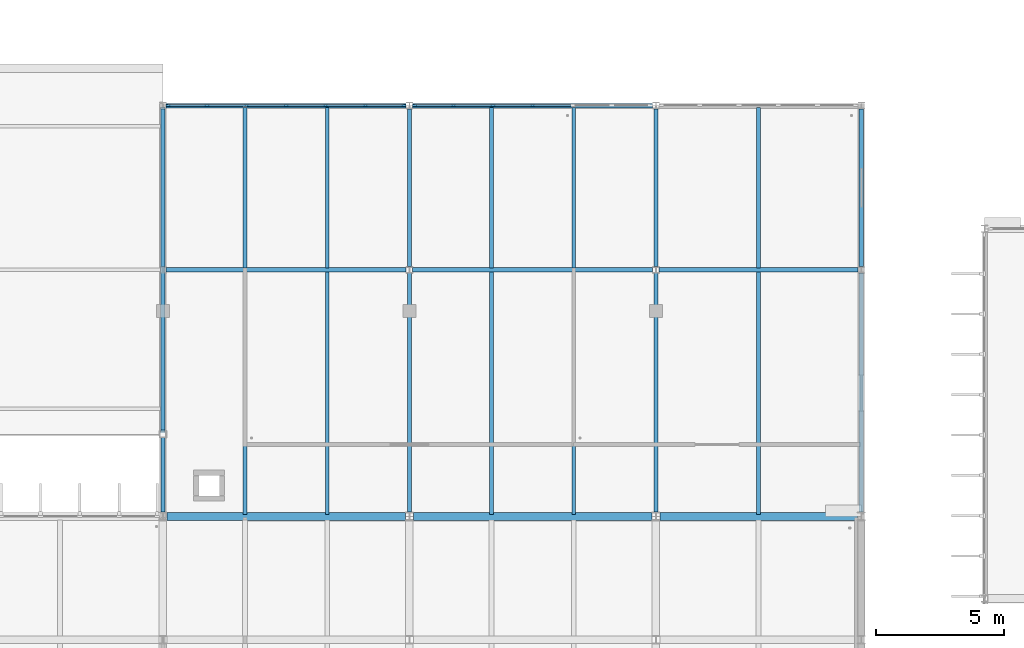
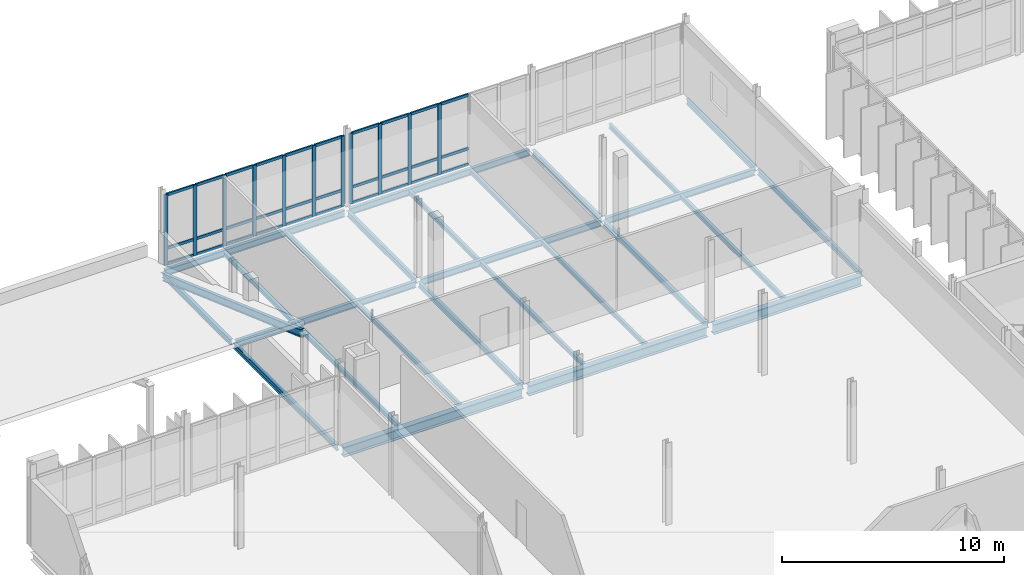
# One storey, part 33 of 107: 42 members, 26 beams, 2 elements without a shape of their own.
"""IFC4 building model written with IfcOpenShell, lengths in metres."""

from ifc_helpers import new_model, si_unit, direction, frame, origin, origin_2d, place, context, subcontext, project, spatial, rectangle, i_section, extrude, material, material_profile, profile_set, type_object, element, aggregate, save


model = new_model("IFC4")

# Units and contexts
model_context = context("Model", 3, precision=1e-05, world=origin(), true_north=direction((0.0, 1.0)))
body_context = subcontext(model_context, "Body", "Model", "MODEL_VIEW")
ifc_project = project(units=[si_unit("LENGTHUNIT", "METRE"), si_unit("AREAUNIT", "SQUARE_METRE"), si_unit("VOLUMEUNIT", "CUBIC_METRE"), si_unit("PLANEANGLEUNIT", "RADIAN"), si_unit("MASSUNIT", "GRAM", prefix="KILO")], contexts=[model_context])

# Site, building, storey
site_placement = place(None, origin())
site = spatial("IfcSite", under=ifc_project, at=site_placement, CompositionType="ELEMENT")
building_placement = place(site_placement, origin())
building = spatial("IfcBuilding", under=site, at=building_placement, Name="Dunescarp Central Library", CompositionType="ELEMENT")
storey_placement = place(building_placement, frame((0.0, 0.0, 5.10009765625)))
storey = spatial("IfcBuildingStorey", under=building, at=storey_placement, Name="L01", CompositionType="ELEMENT", Elevation=5.10009765625)

# Curtain wall, members
ifc_material_1 = material(Name="Marine-grade anodised aluminium 6063-T6", Category="aluminium")
curtain_wall_type = type_object("IfcCurtainWallType", Name="ARC-CW-STICK", PredefinedType="NOTDEFINED", material=ifc_material_1)
curtain_wall_1_placement = place(storey_placement, origin())
curtain_wall_1 = element("IfcCurtainWall", 1, at=curtain_wall_1_placement, inside=storey, type_object=curtain_wall_type, Name="L01 curtain wall CW-V3D-L01-109", PredefinedType="NOTDEFINED")
ifc_material_profile_1 = material_profile(ifc_material_1, rectangle(XDim=0.080078125, YDim=0.179931640625, at=origin_2d()), Name="AL 80x180")
ifc_profile_set_1 = profile_set([ifc_material_profile_1], Name="Marine-grade anodised aluminium 6063-T6")
member_type_1 = type_object("IfcMemberType", Name="ARC-CWM-180", PredefinedType="MULLION", material=ifc_profile_set_1)
member_1_placement = place(storey_placement, frame((97.81494140625, 49.60009765625, 0.0), z_axis=(0.0, 0.0, 1.0), x_axis=(0.0, 1.0, 0.0)))
member_1 = element("IfcMember", 2, at=member_1_placement, type_object=member_type_1, Name="CW-V3D-L01-109 mullion 1", PredefinedType="MULLION", context=body_context, shape_type="SweptSolid", body=[
    extrude(rectangle(XDim=0.080078125, YDim=0.179931640625, at=origin_2d()), origin(), (0.0, 0.0, 1.0), 3.875),
])
member_2_placement = place(storey_placement, frame((99.316650390625, 49.60009765625, 0.0), z_axis=(0.0, 0.0, 1.0), x_axis=(0.0, 1.0, 0.0)))
member_2 = element("IfcMember", 3, at=member_2_placement, type_object=member_type_1, Name="CW-V3D-L01-109 mullion 2", PredefinedType="MULLION", context=body_context, shape_type="SweptSolid", body=[
    extrude(rectangle(XDim=0.080078125, YDim=0.179931640625, at=origin_2d()), origin(), (0.0, 0.0, 1.0), 3.875),
])
member_3_placement = place(storey_placement, frame((100.8583984375, 49.60009765625, 0.0), z_axis=(0.0, 0.0, 1.0), x_axis=(0.0, 1.0, 0.0)))
member_3 = element("IfcMember", 4, at=member_3_placement, type_object=member_type_1, Name="CW-V3D-L01-109 mullion 3", PredefinedType="MULLION", context=body_context, shape_type="SweptSolid", body=[
    extrude(rectangle(XDim=0.080078125, YDim=0.179931640625, at=origin_2d()), origin(), (0.0, 0.0, 1.0), 3.875),
])
member_4_placement = place(storey_placement, frame((102.39990234375, 49.60009765625, 0.0), z_axis=(0.0, 0.0, 1.0), x_axis=(0.0, 1.0, 0.0)))
member_4 = element("IfcMember", 5, at=member_4_placement, type_object=member_type_1, Name="CW-V3D-L01-109 mullion 4", PredefinedType="MULLION", context=body_context, shape_type="SweptSolid", body=[
    extrude(rectangle(XDim=0.080078125, YDim=0.179931640625, at=origin_2d()), origin(), (0.0, 0.0, 1.0), 3.875),
])
member_5_placement = place(storey_placement, frame((103.941650390625, 49.60009765625, 0.0), z_axis=(0.0, 0.0, 1.0), x_axis=(0.0, 1.0, 0.0)))
member_5 = element("IfcMember", 6, at=member_5_placement, type_object=member_type_1, Name="CW-V3D-L01-109 mullion 5", PredefinedType="MULLION", context=body_context, shape_type="SweptSolid", body=[
    extrude(rectangle(XDim=0.080078125, YDim=0.179931640625, at=origin_2d()), origin(), (0.0, 0.0, 1.0), 3.875),
])
member_6_placement = place(storey_placement, frame((105.4833984375, 49.60009765625, 0.0), z_axis=(0.0, 0.0, 1.0), x_axis=(0.0, 1.0, 0.0)))
member_6 = element("IfcMember", 7, at=member_6_placement, type_object=member_type_1, Name="CW-V3D-L01-109 mullion 6", PredefinedType="MULLION", context=body_context, shape_type="SweptSolid", body=[
    extrude(rectangle(XDim=0.080078125, YDim=0.179931640625, at=origin_2d()), origin(), (0.0, 0.0, 1.0), 3.875),
])
member_7_placement = place(storey_placement, frame((106.985107421875, 49.60009765625, 0.0), z_axis=(0.0, 0.0, 1.0), x_axis=(0.0, 1.0, 0.0)))
member_7 = element("IfcMember", 8, at=member_7_placement, type_object=member_type_1, Name="CW-V3D-L01-109 mullion 7", PredefinedType="MULLION", context=body_context, shape_type="SweptSolid", body=[
    extrude(rectangle(XDim=0.080078125, YDim=0.179931640625, at=origin_2d()), origin(), (0.0, 0.0, 1.0), 3.875),
])

curtain_wall_2_placement = place(storey_placement, origin())
curtain_wall_2 = element("IfcCurtainWall", 9, at=curtain_wall_2_placement, inside=storey, type_object=curtain_wall_type, Name="L01 curtain wall CW-V3D-L01-110", PredefinedType="NOTDEFINED")
member_8_placement = place(storey_placement, frame((107.4150390625, 49.60009765625, 0.0), z_axis=(0.0, 0.0, 1.0), x_axis=(0.0, 1.0, 0.0)))
member_8 = element("IfcMember", 10, at=member_8_placement, type_object=member_type_1, Name="CW-V3D-L01-110 mullion 1", PredefinedType="MULLION", context=body_context, shape_type="SweptSolid", body=[
    extrude(rectangle(XDim=0.080078125, YDim=0.179931640625, at=origin_2d()), origin(), (0.0, 0.0, 1.0), 3.875),
])
member_9_placement = place(storey_placement, frame((108.916748046875, 49.60009765625, 0.0), z_axis=(0.0, 0.0, 1.0), x_axis=(0.0, 1.0, 0.0)))
member_9 = element("IfcMember", 11, at=member_9_placement, type_object=member_type_1, Name="CW-V3D-L01-110 mullion 2", PredefinedType="MULLION", context=body_context, shape_type="SweptSolid", body=[
    extrude(rectangle(XDim=0.080078125, YDim=0.179931640625, at=origin_2d()), origin(), (0.0, 0.0, 1.0), 3.875),
])
member_10_placement = place(storey_placement, frame((110.458251953125, 49.60009765625, 0.0), z_axis=(0.0, 0.0, 1.0), x_axis=(0.0, 1.0, 0.0)))
member_10 = element("IfcMember", 12, at=member_10_placement, type_object=member_type_1, Name="CW-V3D-L01-110 mullion 3", PredefinedType="MULLION", context=body_context, shape_type="SweptSolid", body=[
    extrude(rectangle(XDim=0.080078125, YDim=0.179931640625, at=origin_2d()), origin(), (0.0, 0.0, 1.0), 3.875),
])
member_11_placement = place(storey_placement, frame((112.0, 49.60009765625, 0.0), z_axis=(0.0, 0.0, 1.0), x_axis=(0.0, 1.0, 0.0)))
member_11 = element("IfcMember", 13, at=member_11_placement, type_object=member_type_1, Name="CW-V3D-L01-110 mullion 4", PredefinedType="MULLION", context=body_context, shape_type="SweptSolid", body=[
    extrude(rectangle(XDim=0.080078125, YDim=0.179931640625, at=origin_2d()), origin(), (0.0, 0.0, 1.0), 3.875),
])

# Member
ifc_material_profile_2 = material_profile(ifc_material_1, rectangle(XDim=0.080078125, YDim=0.14990234375, at=origin_2d()), Name="AL 80x150")
ifc_profile_set_2 = profile_set([ifc_material_profile_2], Name="Marine-grade anodised aluminium 6063-T6")
member_type_2 = type_object("IfcMemberType", Name="ARC-CWT-150", PredefinedType="USERDEFINED", material=ifc_profile_set_2)
member_12_placement = place(storey_placement, frame((97.85498046875, 49.60009765625, 0.039794921875), z_axis=(1.0, 0.0, 0.0), x_axis=(0.0, 1.0, 0.0)))
member_12 = element("IfcMember", 14, at=member_12_placement, type_object=member_type_2, Name="CW-V3D-L01-109 transom 1.1", ObjectType="TRANSOM", PredefinedType="USERDEFINED", context=body_context, shape_type="SweptSolid", body=[
    extrude(rectangle(XDim=0.080078125, YDim=0.14990234375, at=origin_2d()), origin(), (0.0, 0.0, 1.0), 1.421630859375),
])

member_13_placement = place(storey_placement, frame((97.85498046875, 49.60009765625, 0.89990234375), z_axis=(1.0, 0.0, 0.0), x_axis=(0.0, 1.0, 0.0)))
member_13 = element("IfcMember", 15, at=member_13_placement, type_object=member_type_2, Name="CW-V3D-L01-109 transom 1.2", ObjectType="TRANSOM", PredefinedType="USERDEFINED", context=body_context, shape_type="SweptSolid", body=[
    extrude(rectangle(XDim=0.080078125, YDim=0.14990234375, at=origin_2d()), origin(), (0.0, 0.0, 1.0), 1.421630859375),
])

member_14_placement = place(storey_placement, frame((97.85498046875, 49.60009765625, 3.8349609375), z_axis=(1.0, 0.0, 0.0), x_axis=(0.0, 1.0, 0.0)))
member_14 = element("IfcMember", 16, at=member_14_placement, type_object=member_type_2, Name="CW-V3D-L01-109 transom 1.3", ObjectType="TRANSOM", PredefinedType="USERDEFINED", context=body_context, shape_type="SweptSolid", body=[
    extrude(rectangle(XDim=0.080078125, YDim=0.14990234375, at=origin_2d()), origin(), (0.0, 0.0, 1.0), 1.421630859375),
])

member_15_placement = place(storey_placement, frame((99.356689453125, 49.60009765625, 0.039794921875), z_axis=(1.0, 0.0, 0.0), x_axis=(0.0, 1.0, 0.0)))
member_15 = element("IfcMember", 17, at=member_15_placement, type_object=member_type_2, Name="CW-V3D-L01-109 transom 2.1", ObjectType="TRANSOM", PredefinedType="USERDEFINED", context=body_context, shape_type="SweptSolid", body=[
    extrude(rectangle(XDim=0.080078125, YDim=0.14990234375, at=origin_2d()), origin(), (0.0, 0.0, 1.0), 1.461669921875),
])

member_16_placement = place(storey_placement, frame((99.356689453125, 49.60009765625, 0.89990234375), z_axis=(1.0, 0.0, 0.0), x_axis=(0.0, 1.0, 0.0)))
member_16 = element("IfcMember", 18, at=member_16_placement, type_object=member_type_2, Name="CW-V3D-L01-109 transom 2.2", ObjectType="TRANSOM", PredefinedType="USERDEFINED", context=body_context, shape_type="SweptSolid", body=[
    extrude(rectangle(XDim=0.080078125, YDim=0.14990234375, at=origin_2d()), origin(), (0.0, 0.0, 1.0), 1.461669921875),
])

member_17_placement = place(storey_placement, frame((99.356689453125, 49.60009765625, 3.8349609375), z_axis=(1.0, 0.0, 0.0), x_axis=(0.0, 1.0, 0.0)))
member_17 = element("IfcMember", 19, at=member_17_placement, type_object=member_type_2, Name="CW-V3D-L01-109 transom 2.3", ObjectType="TRANSOM", PredefinedType="USERDEFINED", context=body_context, shape_type="SweptSolid", body=[
    extrude(rectangle(XDim=0.080078125, YDim=0.14990234375, at=origin_2d()), origin(), (0.0, 0.0, 1.0), 1.461669921875),
])

member_18_placement = place(storey_placement, frame((100.8984375, 49.60009765625, 0.039794921875), z_axis=(1.0, 0.0, 0.0), x_axis=(0.0, 1.0, 0.0)))
member_18 = element("IfcMember", 20, at=member_18_placement, type_object=member_type_2, Name="CW-V3D-L01-109 transom 3.1", ObjectType="TRANSOM", PredefinedType="USERDEFINED", context=body_context, shape_type="SweptSolid", body=[
    extrude(rectangle(XDim=0.080078125, YDim=0.14990234375, at=origin_2d()), origin(), (0.0, 0.0, 1.0), 1.461669921875),
])

member_19_placement = place(storey_placement, frame((100.8984375, 49.60009765625, 0.89990234375), z_axis=(1.0, 0.0, 0.0), x_axis=(0.0, 1.0, 0.0)))
member_19 = element("IfcMember", 21, at=member_19_placement, type_object=member_type_2, Name="CW-V3D-L01-109 transom 3.2", ObjectType="TRANSOM", PredefinedType="USERDEFINED", context=body_context, shape_type="SweptSolid", body=[
    extrude(rectangle(XDim=0.080078125, YDim=0.14990234375, at=origin_2d()), origin(), (0.0, 0.0, 1.0), 1.461669921875),
])

member_20_placement = place(storey_placement, frame((100.8984375, 49.60009765625, 3.8349609375), z_axis=(1.0, 0.0, 0.0), x_axis=(0.0, 1.0, 0.0)))
member_20 = element("IfcMember", 22, at=member_20_placement, type_object=member_type_2, Name="CW-V3D-L01-109 transom 3.3", ObjectType="TRANSOM", PredefinedType="USERDEFINED", context=body_context, shape_type="SweptSolid", body=[
    extrude(rectangle(XDim=0.080078125, YDim=0.14990234375, at=origin_2d()), origin(), (0.0, 0.0, 1.0), 1.461669921875),
])

member_21_placement = place(storey_placement, frame((102.43994140625, 49.60009765625, 0.039794921875), z_axis=(1.0, 0.0, 0.0), x_axis=(0.0, 1.0, 0.0)))
member_21 = element("IfcMember", 23, at=member_21_placement, type_object=member_type_2, Name="CW-V3D-L01-109 transom 4.1", ObjectType="TRANSOM", PredefinedType="USERDEFINED", context=body_context, shape_type="SweptSolid", body=[
    extrude(rectangle(XDim=0.080078125, YDim=0.14990234375, at=origin_2d()), origin(), (0.0, 0.0, 1.0), 1.461669921875),
])

member_22_placement = place(storey_placement, frame((102.43994140625, 49.60009765625, 0.89990234375), z_axis=(1.0, 0.0, 0.0), x_axis=(0.0, 1.0, 0.0)))
member_22 = element("IfcMember", 24, at=member_22_placement, type_object=member_type_2, Name="CW-V3D-L01-109 transom 4.2", ObjectType="TRANSOM", PredefinedType="USERDEFINED", context=body_context, shape_type="SweptSolid", body=[
    extrude(rectangle(XDim=0.080078125, YDim=0.14990234375, at=origin_2d()), origin(), (0.0, 0.0, 1.0), 1.461669921875),
])

member_23_placement = place(storey_placement, frame((102.43994140625, 49.60009765625, 3.8349609375), z_axis=(1.0, 0.0, 0.0), x_axis=(0.0, 1.0, 0.0)))
member_23 = element("IfcMember", 25, at=member_23_placement, type_object=member_type_2, Name="CW-V3D-L01-109 transom 4.3", ObjectType="TRANSOM", PredefinedType="USERDEFINED", context=body_context, shape_type="SweptSolid", body=[
    extrude(rectangle(XDim=0.080078125, YDim=0.14990234375, at=origin_2d()), origin(), (0.0, 0.0, 1.0), 1.461669921875),
])

member_24_placement = place(storey_placement, frame((103.981689453125, 49.60009765625, 0.039794921875), z_axis=(1.0, 0.0, 0.0), x_axis=(0.0, 1.0, 0.0)))
member_24 = element("IfcMember", 26, at=member_24_placement, type_object=member_type_2, Name="CW-V3D-L01-109 transom 5.1", ObjectType="TRANSOM", PredefinedType="USERDEFINED", context=body_context, shape_type="SweptSolid", body=[
    extrude(rectangle(XDim=0.080078125, YDim=0.14990234375, at=origin_2d()), origin(), (0.0, 0.0, 1.0), 1.461669921875),
])

member_25_placement = place(storey_placement, frame((103.981689453125, 49.60009765625, 0.89990234375), z_axis=(1.0, 0.0, 0.0), x_axis=(0.0, 1.0, 0.0)))
member_25 = element("IfcMember", 27, at=member_25_placement, type_object=member_type_2, Name="CW-V3D-L01-109 transom 5.2", ObjectType="TRANSOM", PredefinedType="USERDEFINED", context=body_context, shape_type="SweptSolid", body=[
    extrude(rectangle(XDim=0.080078125, YDim=0.14990234375, at=origin_2d()), origin(), (0.0, 0.0, 1.0), 1.461669921875),
])

member_26_placement = place(storey_placement, frame((103.981689453125, 49.60009765625, 3.8349609375), z_axis=(1.0, 0.0, 0.0), x_axis=(0.0, 1.0, 0.0)))
member_26 = element("IfcMember", 28, at=member_26_placement, type_object=member_type_2, Name="CW-V3D-L01-109 transom 5.3", ObjectType="TRANSOM", PredefinedType="USERDEFINED", context=body_context, shape_type="SweptSolid", body=[
    extrude(rectangle(XDim=0.080078125, YDim=0.14990234375, at=origin_2d()), origin(), (0.0, 0.0, 1.0), 1.461669921875),
])

member_27_placement = place(storey_placement, frame((105.5234375, 49.60009765625, 0.039794921875), z_axis=(1.0, 0.0, 0.0), x_axis=(0.0, 1.0, 0.0)))
member_27 = element("IfcMember", 29, at=member_27_placement, type_object=member_type_2, Name="CW-V3D-L01-109 transom 6.1", ObjectType="TRANSOM", PredefinedType="USERDEFINED", context=body_context, shape_type="SweptSolid", body=[
    extrude(rectangle(XDim=0.080078125, YDim=0.14990234375, at=origin_2d()), origin(), (0.0, 0.0, 1.0), 1.421630859375),
])

member_28_placement = place(storey_placement, frame((105.5234375, 49.60009765625, 0.89990234375), z_axis=(1.0, 0.0, 0.0), x_axis=(0.0, 1.0, 0.0)))
member_28 = element("IfcMember", 30, at=member_28_placement, type_object=member_type_2, Name="CW-V3D-L01-109 transom 6.2", ObjectType="TRANSOM", PredefinedType="USERDEFINED", context=body_context, shape_type="SweptSolid", body=[
    extrude(rectangle(XDim=0.080078125, YDim=0.14990234375, at=origin_2d()), origin(), (0.0, 0.0, 1.0), 1.421630859375),
])

member_29_placement = place(storey_placement, frame((105.5234375, 49.60009765625, 3.8349609375), z_axis=(1.0, 0.0, 0.0), x_axis=(0.0, 1.0, 0.0)))
member_29 = element("IfcMember", 31, at=member_29_placement, type_object=member_type_2, Name="CW-V3D-L01-109 transom 6.3", ObjectType="TRANSOM", PredefinedType="USERDEFINED", context=body_context, shape_type="SweptSolid", body=[
    extrude(rectangle(XDim=0.080078125, YDim=0.14990234375, at=origin_2d()), origin(), (0.0, 0.0, 1.0), 1.421630859375),
])

aggregate(curtain_wall_1, [member_1, member_2, member_3, member_4, member_5, member_6, member_7, member_12, member_13, member_14, member_15, member_16, member_17, member_18, member_19, member_20, member_21, member_22, member_23, member_24, member_25, member_26, member_27, member_28, member_29])

member_30_placement = place(storey_placement, frame((107.455078125, 49.60009765625, 0.039794921875), z_axis=(1.0, 0.0, 0.0), x_axis=(0.0, 1.0, 0.0)))
member_30 = element("IfcMember", 32, at=member_30_placement, type_object=member_type_2, Name="CW-V3D-L01-110 transom 1.1", ObjectType="TRANSOM", PredefinedType="USERDEFINED", context=body_context, shape_type="SweptSolid", body=[
    extrude(rectangle(XDim=0.080078125, YDim=0.14990234375, at=origin_2d()), origin(), (0.0, 0.0, 1.0), 1.421630859375),
])

member_31_placement = place(storey_placement, frame((107.455078125, 49.60009765625, 0.89990234375), z_axis=(1.0, 0.0, 0.0), x_axis=(0.0, 1.0, 0.0)))
member_31 = element("IfcMember", 33, at=member_31_placement, type_object=member_type_2, Name="CW-V3D-L01-110 transom 1.2", ObjectType="TRANSOM", PredefinedType="USERDEFINED", context=body_context, shape_type="SweptSolid", body=[
    extrude(rectangle(XDim=0.080078125, YDim=0.14990234375, at=origin_2d()), origin(), (0.0, 0.0, 1.0), 1.421630859375),
])

member_32_placement = place(storey_placement, frame((107.455078125, 49.60009765625, 3.8349609375), z_axis=(1.0, 0.0, 0.0), x_axis=(0.0, 1.0, 0.0)))
member_32 = element("IfcMember", 34, at=member_32_placement, type_object=member_type_2, Name="CW-V3D-L01-110 transom 1.3", ObjectType="TRANSOM", PredefinedType="USERDEFINED", context=body_context, shape_type="SweptSolid", body=[
    extrude(rectangle(XDim=0.080078125, YDim=0.14990234375, at=origin_2d()), origin(), (0.0, 0.0, 1.0), 1.421630859375),
])

member_33_placement = place(storey_placement, frame((108.956787109375, 49.60009765625, 0.039794921875), z_axis=(1.0, 0.0, 0.0), x_axis=(0.0, 1.0, 0.0)))
member_33 = element("IfcMember", 35, at=member_33_placement, type_object=member_type_2, Name="CW-V3D-L01-110 transom 2.1", ObjectType="TRANSOM", PredefinedType="USERDEFINED", context=body_context, shape_type="SweptSolid", body=[
    extrude(rectangle(XDim=0.080078125, YDim=0.14990234375, at=origin_2d()), origin(), (0.0, 0.0, 1.0), 1.46142578125),
])

member_34_placement = place(storey_placement, frame((108.956787109375, 49.60009765625, 0.89990234375), z_axis=(1.0, 0.0, 0.0), x_axis=(0.0, 1.0, 0.0)))
member_34 = element("IfcMember", 36, at=member_34_placement, type_object=member_type_2, Name="CW-V3D-L01-110 transom 2.2", ObjectType="TRANSOM", PredefinedType="USERDEFINED", context=body_context, shape_type="SweptSolid", body=[
    extrude(rectangle(XDim=0.080078125, YDim=0.14990234375, at=origin_2d()), origin(), (0.0, 0.0, 1.0), 1.46142578125),
])

member_35_placement = place(storey_placement, frame((108.956787109375, 49.60009765625, 3.8349609375), z_axis=(1.0, 0.0, 0.0), x_axis=(0.0, 1.0, 0.0)))
member_35 = element("IfcMember", 37, at=member_35_placement, type_object=member_type_2, Name="CW-V3D-L01-110 transom 2.3", ObjectType="TRANSOM", PredefinedType="USERDEFINED", context=body_context, shape_type="SweptSolid", body=[
    extrude(rectangle(XDim=0.080078125, YDim=0.14990234375, at=origin_2d()), origin(), (0.0, 0.0, 1.0), 1.46142578125),
])

member_36_placement = place(storey_placement, frame((110.498291015625, 49.60009765625, 0.039794921875), z_axis=(1.0, 0.0, 0.0), x_axis=(0.0, 1.0, 0.0)))
member_36 = element("IfcMember", 38, at=member_36_placement, type_object=member_type_2, Name="CW-V3D-L01-110 transom 3.1", ObjectType="TRANSOM", PredefinedType="USERDEFINED", context=body_context, shape_type="SweptSolid", body=[
    extrude(rectangle(XDim=0.080078125, YDim=0.14990234375, at=origin_2d()), origin(), (0.0, 0.0, 1.0), 1.461669921875),
])

member_37_placement = place(storey_placement, frame((110.498291015625, 49.60009765625, 0.89990234375), z_axis=(1.0, 0.0, 0.0), x_axis=(0.0, 1.0, 0.0)))
member_37 = element("IfcMember", 39, at=member_37_placement, type_object=member_type_2, Name="CW-V3D-L01-110 transom 3.2", ObjectType="TRANSOM", PredefinedType="USERDEFINED", context=body_context, shape_type="SweptSolid", body=[
    extrude(rectangle(XDim=0.080078125, YDim=0.14990234375, at=origin_2d()), origin(), (0.0, 0.0, 1.0), 1.461669921875),
])

member_38_placement = place(storey_placement, frame((110.498291015625, 49.60009765625, 3.8349609375), z_axis=(1.0, 0.0, 0.0), x_axis=(0.0, 1.0, 0.0)))
member_38 = element("IfcMember", 40, at=member_38_placement, type_object=member_type_2, Name="CW-V3D-L01-110 transom 3.3", ObjectType="TRANSOM", PredefinedType="USERDEFINED", context=body_context, shape_type="SweptSolid", body=[
    extrude(rectangle(XDim=0.080078125, YDim=0.14990234375, at=origin_2d()), origin(), (0.0, 0.0, 1.0), 1.461669921875),
])

member_39_placement = place(storey_placement, frame((112.0400390625, 49.60009765625, 0.039794921875), z_axis=(1.0, 0.0, 0.0), x_axis=(0.0, 1.0, 0.0)))
member_39 = element("IfcMember", 41, at=member_39_placement, type_object=member_type_2, Name="CW-V3D-L01-110 transom 4.1", ObjectType="TRANSOM", PredefinedType="USERDEFINED", context=body_context, shape_type="SweptSolid", body=[
    extrude(rectangle(XDim=0.080078125, YDim=0.14990234375, at=origin_2d()), origin(), (0.0, 0.0, 1.0), 1.461669921875),
])

member_40_placement = place(storey_placement, frame((112.0400390625, 49.60009765625, 0.89990234375), z_axis=(1.0, 0.0, 0.0), x_axis=(0.0, 1.0, 0.0)))
member_40 = element("IfcMember", 42, at=member_40_placement, type_object=member_type_2, Name="CW-V3D-L01-110 transom 4.2", ObjectType="TRANSOM", PredefinedType="USERDEFINED", context=body_context, shape_type="SweptSolid", body=[
    extrude(rectangle(XDim=0.080078125, YDim=0.14990234375, at=origin_2d()), origin(), (0.0, 0.0, 1.0), 1.461669921875),
])

member_41_placement = place(storey_placement, frame((112.0400390625, 49.60009765625, 3.8349609375), z_axis=(1.0, 0.0, 0.0), x_axis=(0.0, 1.0, 0.0)))
member_41 = element("IfcMember", 43, at=member_41_placement, type_object=member_type_2, Name="CW-V3D-L01-110 transom 4.3", ObjectType="TRANSOM", PredefinedType="USERDEFINED", context=body_context, shape_type="SweptSolid", body=[
    extrude(rectangle(XDim=0.080078125, YDim=0.14990234375, at=origin_2d()), origin(), (0.0, 0.0, 1.0), 1.461669921875),
])

aggregate(curtain_wall_2, [member_8, member_9, member_10, member_11, member_30, member_31, member_32, member_33, member_34, member_35, member_36, member_37, member_38, member_39, member_40, member_41])

# Beams
ifc_material_2 = material(Name="Steel S355JR", Category="steel")
ifc_material_profile_3 = material_profile(ifc_material_2, i_section(OverallWidth=0.300048828125, OverallDepth=0.550048828125, WebThickness=0.014892578125, FlangeThickness=0.029052734375, at=origin_2d()), Name="HEB 550")
ifc_profile_set_3 = profile_set([ifc_material_profile_3], Name="Steel S355JR")
beam_type_1 = type_object("IfcBeamType", Name="STR-BM-HEB550", PredefinedType="BEAM", material=ifc_profile_set_3)
for number, where, z_axis, x_axis, name in (
    (44, (97.75390625, 33.60009765625, -0.4951171875), (1.0, 0.0, 0.0), (0.0, 1.0, 0.0), "L01 girder BM-L01-0698"),
    (45, (107.35400390625, 33.60009765625, -0.4951171875), (1.0, 0.0, 0.0), (0.0, 1.0, 0.0), "L01 girder BM-L01-0715"),
):
    element("IfcBeam", number, at=place(storey_placement, frame(where, z_axis=z_axis, x_axis=x_axis)), inside=storey, type_object=beam_type_1, Name=name, PredefinedType="BEAM", context=body_context, shape_type="SweptSolid", body=[
        extrude(i_section(OverallWidth=0.300048828125, OverallDepth=0.550048828125, WebThickness=0.014892578125, FlangeThickness=0.029052734375, at=origin_2d()), origin(), (0.0, 0.0, 1.0), 9.2919921875),
    ])
beam_1_placement = place(storey_placement, frame((116.9541015625, 33.60009765625, -0.4951171875), z_axis=(1.0, 0.0, 0.0), x_axis=(0.0, 1.0, 0.0)))
element("IfcBeam", 46, at=beam_1_placement, inside=storey, type_object=beam_type_1, Name="L01 girder BM-L01-0729", PredefinedType="BEAM", context=body_context, shape_type="SweptSolid", body=[
    extrude(i_section(OverallWidth=0.300048828125, OverallDepth=0.550048828125, WebThickness=0.014892578125, FlangeThickness=0.029052734375, at=origin_2d()), origin(), (0.0, 0.0, 1.0), 7.69189453125),
])
ifc_material_profile_4 = material_profile(ifc_material_2, i_section(OverallWidth=0.1650390625, OverallDepth=0.303466796875, WebThickness=0.006103515625, FlangeThickness=0.01025390625, at=origin_2d()), Name="UB 305x165x40")
ifc_profile_set_4 = profile_set([ifc_material_profile_4], Name="Steel S355JR")
beam_type_2 = type_object("IfcBeamType", Name="STR-BM-UB305X40", PredefinedType="BEAM", material=ifc_profile_set_4)
for number, where, z_axis, x_axis, name in (
    (47, (97.60009765625, 33.76708984375, -0.3720703125), (0.0, 1.0, 0.0), (-1.0, 0.0, 0.0), "L01 girder BM-L01-1287"),
    (48, (107.199951171875, 33.76708984375, -0.3720703125), (0.0, 1.0, 0.0), (-1.0, 0.0, 0.0), "L01 girder BM-L01-1288"),
):
    element("IfcBeam", number, at=place(storey_placement, frame(where, z_axis=z_axis, x_axis=x_axis)), inside=storey, type_object=beam_type_2, Name=name, PredefinedType="BEAM", context=body_context, shape_type="SweptSolid", body=[
        extrude(i_section(OverallWidth=0.1650390625, OverallDepth=0.303466796875, WebThickness=0.006103515625, FlangeThickness=0.01025390625, at=origin_2d()), origin(), (0.0, 0.0, 1.0), 9.305908203125),
    ])
for number, where, z_axis, x_axis, name in (
    (49, (97.60009765625, 43.326904296875, -0.3720703125), (0.0, 1.0, 0.0), (-1.0, 0.0, 0.0), "L01 girder BM-L01-1292"),
    (50, (107.199951171875, 43.326904296875, -0.3720703125), (0.0, 1.0, 0.0), (-1.0, 0.0, 0.0), "L01 girder BM-L01-1293"),
):
    element("IfcBeam", number, at=place(storey_placement, frame(where, z_axis=z_axis, x_axis=x_axis)), inside=storey, type_object=beam_type_2, Name=name, PredefinedType="BEAM", context=body_context, shape_type="SweptSolid", body=[
        extrude(i_section(OverallWidth=0.1650390625, OverallDepth=0.303466796875, WebThickness=0.006103515625, FlangeThickness=0.01025390625, at=origin_2d()), origin(), (0.0, 0.0, 1.0), 6.14599609375),
    ])
beam_2_placement = place(storey_placement, frame((116.800048828125, 33.76708984375, -0.3720703125), z_axis=(0.0, 1.0, 0.0), x_axis=(-1.0, 0.0, 0.0)))
element("IfcBeam", 51, at=beam_2_placement, inside=storey, type_object=beam_type_2, Name="L01 girder BM-L01-1297", PredefinedType="BEAM", context=body_context, shape_type="SweptSolid", body=[
    extrude(i_section(OverallWidth=0.1650390625, OverallDepth=0.303466796875, WebThickness=0.006103515625, FlangeThickness=0.01025390625, at=origin_2d()), origin(), (0.0, 0.0, 1.0), 9.305908203125),
])
beam_3_placement = place(storey_placement, frame((116.800048828125, 43.326904296875, -0.3720703125), z_axis=(0.0, 1.0, 0.0), x_axis=(-1.0, 0.0, 0.0)))
element("IfcBeam", 52, at=beam_3_placement, inside=storey, type_object=beam_type_2, Name="L01 girder BM-L01-1301", PredefinedType="BEAM", context=body_context, shape_type="SweptSolid", body=[
    extrude(i_section(OverallWidth=0.1650390625, OverallDepth=0.303466796875, WebThickness=0.006103515625, FlangeThickness=0.01025390625, at=origin_2d()), origin(), (0.0, 0.0, 1.0), 6.14599609375),
])
beam_4_placement = place(storey_placement, frame((124.800048828125, 33.76708984375, -0.3720703125), z_axis=(0.0, 1.0, 0.0), x_axis=(-1.0, 0.0, 0.0)))
element("IfcBeam", 53, at=beam_4_placement, inside=storey, type_object=beam_type_2, Name="L01 girder BM-L01-1305", PredefinedType="BEAM", context=body_context, shape_type="SweptSolid", body=[
    extrude(i_section(OverallWidth=0.1650390625, OverallDepth=0.303466796875, WebThickness=0.006103515625, FlangeThickness=0.01025390625, at=origin_2d()), origin(), (0.0, 0.0, 1.0), 9.305908203125),
])
beam_5_placement = place(storey_placement, frame((124.800048828125, 43.326904296875, -0.3720703125), z_axis=(0.0, 1.0, 0.0), x_axis=(-1.0, 0.0, 0.0)))
element("IfcBeam", 54, at=beam_5_placement, inside=storey, type_object=beam_type_2, Name="L01 girder BM-L01-1308", PredefinedType="BEAM", context=body_context, shape_type="SweptSolid", body=[
    extrude(i_section(OverallWidth=0.1650390625, OverallDepth=0.303466796875, WebThickness=0.006103515625, FlangeThickness=0.01025390625, at=origin_2d()), origin(), (0.0, 0.0, 1.0), 6.14599609375),
])
ifc_material_profile_5 = material_profile(ifc_material_2, i_section(OverallWidth=0.17138671875, OverallDepth=0.35498046875, WebThickness=0.00732421875, FlangeThickness=0.011474609375, at=origin_2d()), Name="UB 356x171x51")
ifc_profile_set_5 = profile_set([ifc_material_profile_5], Name="Steel S355JR")
beam_type_3 = type_object("IfcBeamType", Name="STR-BM-UB356X51", PredefinedType="BEAM", material=ifc_profile_set_5)
for number, where, z_axis, x_axis, name in (
    (55, (97.72509765625, 43.199951171875, -0.398193359375), (1.0, 0.0, 0.0), (0.0, 1.0, 0.0), "L01 girder BM-L01-1286"),
    (56, (97.72509765625, 49.60009765625, -0.398193359375), (1.0, 0.0, 0.0), (0.0, 1.0, 0.0), "L01 girder BM-L01-1291"),
):
    element("IfcBeam", number, at=place(storey_placement, frame(where, z_axis=z_axis, x_axis=x_axis)), inside=storey, type_object=beam_type_3, Name=name, PredefinedType="BEAM", context=body_context, shape_type="SweptSolid", body=[
        extrude(i_section(OverallWidth=0.17138671875, OverallDepth=0.35498046875, WebThickness=0.00732421875, FlangeThickness=0.011474609375, at=origin_2d()), origin(), (0.0, 0.0, 1.0), 9.349853515625),
    ])
for number, where, z_axis, x_axis, name in (
    (57, (107.324951171875, 43.199951171875, -0.398193359375), (1.0, 0.0, 0.0), (0.0, 1.0, 0.0), "L01 girder BM-L01-1296"),
    (58, (107.324951171875, 49.60009765625, -0.398193359375), (1.0, 0.0, 0.0), (0.0, 1.0, 0.0), "L01 girder BM-L01-1300"),
):
    element("IfcBeam", number, at=place(storey_placement, frame(where, z_axis=z_axis, x_axis=x_axis)), inside=storey, type_object=beam_type_3, Name=name, PredefinedType="BEAM", context=body_context, shape_type="SweptSolid", body=[
        extrude(i_section(OverallWidth=0.17138671875, OverallDepth=0.35498046875, WebThickness=0.00732421875, FlangeThickness=0.011474609375, at=origin_2d()), origin(), (0.0, 0.0, 1.0), 9.35009765625),
    ])
beam_6_placement = place(storey_placement, frame((116.925048828125, 43.199951171875, -0.398193359375), z_axis=(1.0, 0.0, 0.0), x_axis=(0.0, 1.0, 0.0)))
element("IfcBeam", 59, at=beam_6_placement, inside=storey, type_object=beam_type_3, Name="L01 girder BM-L01-1304", PredefinedType="BEAM", context=body_context, shape_type="SweptSolid", body=[
    extrude(i_section(OverallWidth=0.17138671875, OverallDepth=0.35498046875, WebThickness=0.00732421875, FlangeThickness=0.011474609375, at=origin_2d()), origin(), (0.0, 0.0, 1.0), 7.75),
])
ifc_material_profile_6 = material_profile(ifc_material_2, i_section(OverallWidth=0.14599609375, OverallDepth=0.25146484375, WebThickness=0.006103515625, FlangeThickness=0.008544921875, at=origin_2d()), Name="UB 254x146x31")
ifc_profile_set_6 = profile_set([ifc_material_profile_6], Name="Steel S355JR")
beam_type_4 = type_object("IfcBeamType", Name="STR-JS-UB254", PredefinedType="JOIST", material=ifc_profile_set_6)
for number, where, z_axis, x_axis, name in (
    (60, (100.800048828125, 33.68408203125, -0.34619140625), (0.0, 1.0, 0.0), (-1.0, 0.0, 0.0), "L01 joist JS-L01-1289"),
    (61, (104.0, 33.68408203125, -0.34619140625), (0.0, 1.0, 0.0), (-1.0, 0.0, 0.0), "L01 joist JS-L01-1290"),
):
    element("IfcBeam", number, at=place(storey_placement, frame(where, z_axis=z_axis, x_axis=x_axis)), inside=storey, type_object=beam_type_4, Name=name, PredefinedType="JOIST", context=body_context, shape_type="SweptSolid", body=[
        extrude(i_section(OverallWidth=0.14599609375, OverallDepth=0.25146484375, WebThickness=0.006103515625, FlangeThickness=0.008544921875, at=origin_2d()), origin(), (0.0, 0.0, 1.0), 9.431884765625),
    ])
for number, where, z_axis, x_axis, name in (
    (62, (100.800048828125, 43.283935546875, -0.34619140625), (0.0, 1.0, 0.0), (-1.0, 0.0, 0.0), "L01 joist JS-L01-1294"),
    (63, (104.0, 43.283935546875, -0.34619140625), (0.0, 1.0, 0.0), (-1.0, 0.0, 0.0), "L01 joist JS-L01-1295"),
):
    element("IfcBeam", number, at=place(storey_placement, frame(where, z_axis=z_axis, x_axis=x_axis)), inside=storey, type_object=beam_type_4, Name=name, PredefinedType="JOIST", context=body_context, shape_type="SweptSolid", body=[
        extrude(i_section(OverallWidth=0.14599609375, OverallDepth=0.25146484375, WebThickness=0.006103515625, FlangeThickness=0.008544921875, at=origin_2d()), origin(), (0.0, 0.0, 1.0), 6.232177734375),
    ])
for number, where, z_axis, x_axis, name in (
    (64, (110.39990234375, 33.68408203125, -0.34619140625), (0.0, 1.0, 0.0), (-1.0, 0.0, 0.0), "L01 joist JS-L01-1298"),
    (65, (113.60009765625, 33.68408203125, -0.34619140625), (0.0, 1.0, 0.0), (-1.0, 0.0, 0.0), "L01 joist JS-L01-1299"),
):
    element("IfcBeam", number, at=place(storey_placement, frame(where, z_axis=z_axis, x_axis=x_axis)), inside=storey, type_object=beam_type_4, Name=name, PredefinedType="JOIST", context=body_context, shape_type="SweptSolid", body=[
        extrude(i_section(OverallWidth=0.14599609375, OverallDepth=0.25146484375, WebThickness=0.006103515625, FlangeThickness=0.008544921875, at=origin_2d()), origin(), (0.0, 0.0, 1.0), 9.431884765625),
    ])
for number, where, z_axis, x_axis, name in (
    (66, (110.39990234375, 43.283935546875, -0.34619140625), (0.0, 1.0, 0.0), (-1.0, 0.0, 0.0), "L01 joist JS-L01-1302"),
    (67, (113.60009765625, 43.283935546875, -0.34619140625), (0.0, 1.0, 0.0), (-1.0, 0.0, 0.0), "L01 joist JS-L01-1303"),
):
    element("IfcBeam", number, at=place(storey_placement, frame(where, z_axis=z_axis, x_axis=x_axis)), inside=storey, type_object=beam_type_4, Name=name, PredefinedType="JOIST", context=body_context, shape_type="SweptSolid", body=[
        extrude(i_section(OverallWidth=0.14599609375, OverallDepth=0.25146484375, WebThickness=0.006103515625, FlangeThickness=0.008544921875, at=origin_2d()), origin(), (0.0, 0.0, 1.0), 6.232177734375),
    ])
beam_7_placement = place(storey_placement, frame((120.800048828125, 33.68408203125, -0.34619140625), z_axis=(0.0, 1.0, 0.0), x_axis=(-1.0, 0.0, 0.0)))
element("IfcBeam", 68, at=beam_7_placement, inside=storey, type_object=beam_type_4, Name="L01 joist JS-L01-1306", PredefinedType="JOIST", context=body_context, shape_type="SweptSolid", body=[
    extrude(i_section(OverallWidth=0.14599609375, OverallDepth=0.25146484375, WebThickness=0.006103515625, FlangeThickness=0.008544921875, at=origin_2d()), origin(), (0.0, 0.0, 1.0), 9.431884765625),
])
beam_8_placement = place(storey_placement, frame((120.800048828125, 43.283935546875, -0.34619140625), z_axis=(0.0, 1.0, 0.0), x_axis=(-1.0, 0.0, 0.0)))
element("IfcBeam", 69, at=beam_8_placement, inside=storey, type_object=beam_type_4, Name="L01 joist JS-L01-1309", PredefinedType="JOIST", context=body_context, shape_type="SweptSolid", body=[
    extrude(i_section(OverallWidth=0.14599609375, OverallDepth=0.25146484375, WebThickness=0.006103515625, FlangeThickness=0.008544921875, at=origin_2d()), origin(), (0.0, 0.0, 1.0), 6.232177734375),
])

# Member
ifc_material_profile_7 = material_profile(ifc_material_2, i_section(OverallWidth=0.179931640625, OverallDepth=0.39990234375, WebThickness=0.008544921875, FlangeThickness=0.013427734375, at=origin_2d()), Name="IPE 400")
ifc_profile_set_7 = profile_set([ifc_material_profile_7], Name="Steel S355JR")
member_type_3 = type_object("IfcMemberType", Name="STR-RF-IPE400", PredefinedType="RAFTER", material=ifc_profile_set_7)
member_42_placement = place(storey_placement, frame((97.60009765625, 36.909912109375, 4.0068359375), z_axis=(0.0, 0.941531639667, -0.336924578364), x_axis=(-1.0, 0.0, 0.0)))
element("IfcMember", 70, at=member_42_placement, inside=storey, type_object=member_type_3, Name="CLN raked roof rafter RFT-CLN-066", PredefinedType="RAFTER", context=body_context, shape_type="SweptSolid", body=[
    extrude(i_section(OverallWidth=0.179931640625, OverallDepth=0.39990234375, WebThickness=0.008544921875, FlangeThickness=0.013427734375, at=origin_2d()), origin(), (0.0, 0.0, 1.0), 13.356201171875),
])

save(model, "model.ifc")
